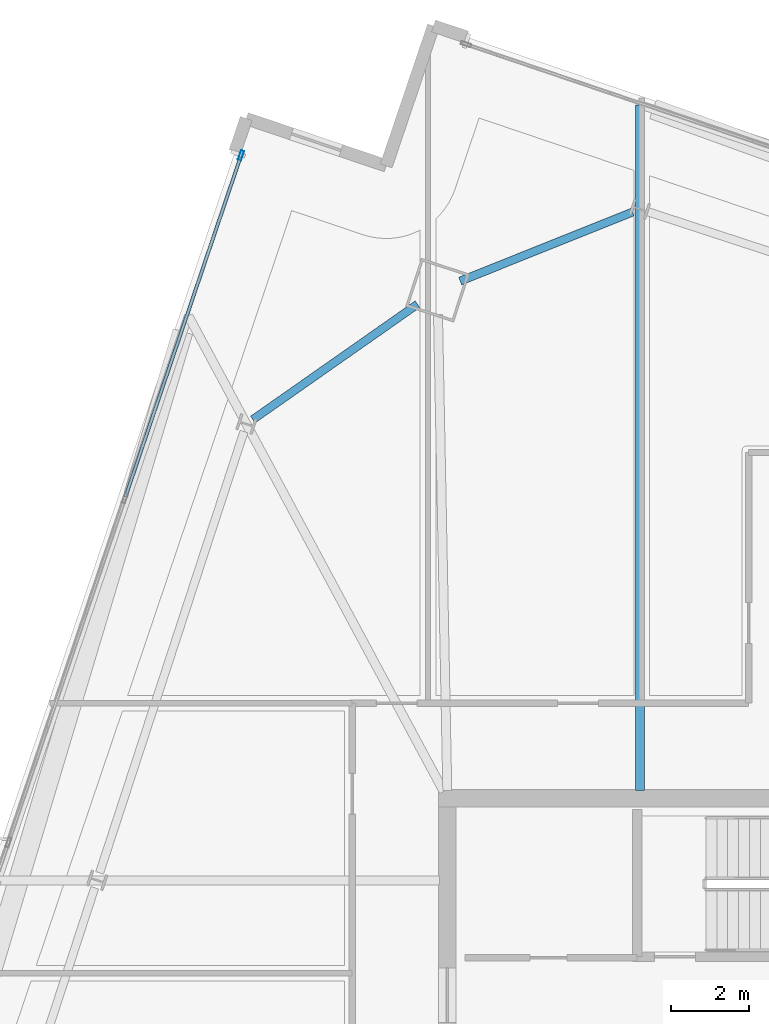
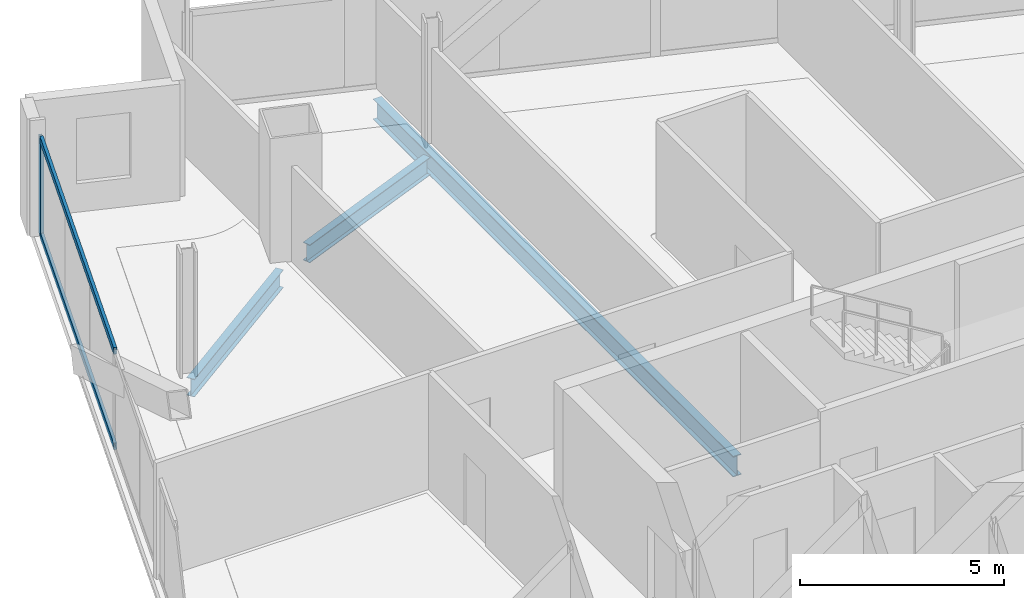
# One storey, part 15 of 29: 3 beams, 3 members, 1 element without a shape of its own.
"""IFC4 building model written with IfcOpenShell, lengths in metres."""

from ifc_helpers import new_model, si_unit, direction, frame, origin, origin_2d, place, context, subcontext, project, spatial, hollow_rectangle, i_section, extrude, material, material_profile, profile_set, type_object, element, aggregate, save


model = new_model("IFC4")

# Units and contexts
model_context = context("Model", 3, precision=1e-05, world=origin(), true_north=direction((0.0, 1.0)))
body_context = subcontext(model_context, "Body", "Model", "MODEL_VIEW")
ifc_project = project(units=[si_unit("LENGTHUNIT", "METRE"), si_unit("AREAUNIT", "SQUARE_METRE"), si_unit("VOLUMEUNIT", "CUBIC_METRE"), si_unit("PLANEANGLEUNIT", "RADIAN"), si_unit("MASSUNIT", "GRAM", prefix="KILO")], contexts=[model_context])

# Site, building, storey
site_placement = place(None, origin())
site = spatial("IfcSite", under=ifc_project, at=site_placement, CompositionType="ELEMENT")
building_placement = place(site_placement, origin())
building = spatial("IfcBuilding", under=site, at=building_placement, Name="Haldenkirk Collegiate Tower", CompositionType="ELEMENT")
storey_placement = place(building_placement, frame((0.0, 0.0, 267.449951171875)))
storey = spatial("IfcBuildingStorey", under=building, at=storey_placement, Name="L67", CompositionType="ELEMENT", Elevation=267.449951171875)

# Beams
ifc_material_1 = material(Name="Steel ASTM A992 Grade 50", Category="steel")
ifc_material_profile_1 = material_profile(ifc_material_1, i_section(OverallWidth=0.22998046875, OverallDepth=0.616943359375, WebThickness=0.01318359375, FlangeThickness=0.022216796875, at=origin_2d()), Name="W24X94")
ifc_profile_set_1 = profile_set([ifc_material_profile_1], Name="Steel ASTM A992 Grade 50")
beam_type_1 = type_object("IfcBeamType", Name="BM-GIRDER-W24X94", PredefinedType="BEAM", material=ifc_profile_set_1)
beam_1_placement = place(storey_placement, frame((31.949462890625, 51.843017578125, -0.578369140625), z_axis=(0.0, -1.0, 0.0), x_axis=(1.0, 0.0, 0.0)))
element("IfcBeam", 1, at=beam_1_placement, inside=storey, type_object=beam_type_1, Name="L67 primary floor girder 10", PredefinedType="BEAM", context=body_context, shape_type="SweptSolid", body=[
    extrude(i_section(OverallWidth=0.22998046875, OverallDepth=0.616943359375, WebThickness=0.01318359375, FlangeThickness=0.022216796875, at=origin_2d()), origin(), (0.0, 0.0, 1.0), 17.637939453125),
])
ifc_material_profile_2 = material_profile(ifc_material_1, i_section(OverallWidth=0.2099609375, OverallDepth=0.537109375, WebThickness=0.010986328125, FlangeThickness=0.017333984375, at=origin_2d()), Name="W21X68")
ifc_profile_set_2 = profile_set([ifc_material_profile_2], Name="Steel ASTM A992 Grade 50")
beam_type_2 = type_object("IfcBeamType", Name="BM-SPANDREL-W21X68", PredefinedType="SPANDREL", material=ifc_profile_set_2)
beam_2_placement = place(storey_placement, frame((31.761474609375, 49.0830078125, -0.538330078125), z_axis=(-0.928296709602, -0.371840313768, 0.0), x_axis=(0.371840313768, -0.928296709602, 0.0)))
element("IfcBeam", 2, at=beam_2_placement, inside=storey, type_object=beam_type_2, Name="L67 perimeter spandrel beam 08", PredefinedType="SPANDREL", context=body_context, shape_type="SweptSolid", body=[
    extrude(i_section(OverallWidth=0.2099609375, OverallDepth=0.537109375, WebThickness=0.010986328125, FlangeThickness=0.017333984375, at=origin_2d()), origin(), (0.0, 0.0, 1.0), 4.77392578125),
])
beam_3_placement = place(storey_placement, frame((26.22900390625, 46.7119140625, -0.538330078125), z_axis=(-0.818927819185, -0.573896529842, 0.0), x_axis=(0.573896529842, -0.818927819185, 0.0)))
element("IfcBeam", 3, at=beam_3_placement, inside=storey, type_object=beam_type_2, Name="L67 perimeter spandrel beam 09", PredefinedType="SPANDREL", context=body_context, shape_type="SweptSolid", body=[
    extrude(i_section(OverallWidth=0.2099609375, OverallDepth=0.537109375, WebThickness=0.010986328125, FlangeThickness=0.017333984375, at=origin_2d()), origin(), (0.0, 0.0, 1.0), 5.169189453125),
])

# Curtain wall, members
ifc_material_2 = material(Name="Anodised architectural bronze aluminium", Category="aluminium")
curtain_wall_type = type_object("IfcCurtainWallType", Name="CW-SYS1B-CONVEX-HI", PredefinedType="USERDEFINED", material=ifc_material_2)
curtain_wall_placement = place(storey_placement, origin())
curtain_wall = element("IfcCurtainWall", 4, at=curtain_wall_placement, inside=storey, type_object=curtain_wall_type, Name="L67 Upper tower high-wind convex bronze unitised curtain wall", ObjectType="UNITISED CURTAIN WALL", PredefinedType="USERDEFINED")
ifc_material_profile_3 = material_profile(ifc_material_2, hollow_rectangle(XDim=0.0849609375, YDim=0.25, WallThickness=0.0048828125, at=origin_2d()), Name="CW-MUL-1B")
ifc_profile_set_3 = profile_set([ifc_material_profile_3], Name="Anodised architectural bronze aluminium")
member_type_1 = type_object("IfcMemberType", Name="CW-MUL-1B", PredefinedType="MULLION", material=ifc_profile_set_3)
member_1_placement = place(storey_placement, frame((21.692626953125, 50.5400390625, 0.0), z_axis=(0.0, 0.0, 1.0), x_axis=(-0.947210585512, 0.320612081329, 0.0)))
member_1 = element("IfcMember", 5, at=member_1_placement, type_object=member_type_1, Name="CW-1B mullion 5", PredefinedType="MULLION", context=body_context, shape_type="SweptSolid", body=[
    extrude(hollow_rectangle(XDim=0.0849609375, YDim=0.25, WallThickness=0.0048828125, at=origin_2d()), origin(), (0.0, 0.0, 1.0), 2.93798828125),
])
ifc_material_profile_4 = material_profile(ifc_material_2, hollow_rectangle(XDim=0.0849609375, YDim=0.199951171875, WallThickness=0.0048828125, at=origin_2d()), Name="CW-TRN-1B")
ifc_profile_set_4 = profile_set([ifc_material_profile_4], Name="Anodised architectural bronze aluminium")
member_type_2 = type_object("IfcMemberType", Name="CW-TRN-1B", PredefinedType="USERDEFINED", material=ifc_profile_set_4)
member_2_placement = place(storey_placement, frame((18.72216796875, 41.76416015625, 0.04248046875), z_axis=(0.320600193713, 0.947214609152, 0.0), x_axis=(-0.947214609152, 0.320600193713, 0.0)))
member_2 = element("IfcMember", 6, at=member_2_placement, type_object=member_type_2, Name="CW-1B transom 4.1", ObjectType="TRANSOM", PredefinedType="USERDEFINED", context=body_context, shape_type="SweptSolid", body=[
    extrude(hollow_rectangle(XDim=0.0849609375, YDim=0.199951171875, WallThickness=0.0048828125, at=origin_2d()), origin(), (0.0, 0.0, 1.0), 9.22265625),
])
member_3_placement = place(storey_placement, frame((18.72216796875, 41.76416015625, 2.8955078125), z_axis=(0.320600193713, 0.947214609152, 0.0), x_axis=(-0.947214609152, 0.320600193713, 0.0)))
member_3 = element("IfcMember", 7, at=member_3_placement, type_object=member_type_2, Name="CW-1B transom 4.2", ObjectType="TRANSOM", PredefinedType="USERDEFINED", context=body_context, shape_type="SweptSolid", body=[
    extrude(hollow_rectangle(XDim=0.0849609375, YDim=0.199951171875, WallThickness=0.0048828125, at=origin_2d()), origin(), (0.0, 0.0, 1.0), 9.22265625),
])
aggregate(curtain_wall, [member_1, member_2, member_3])

save(model, "model.ifc")
